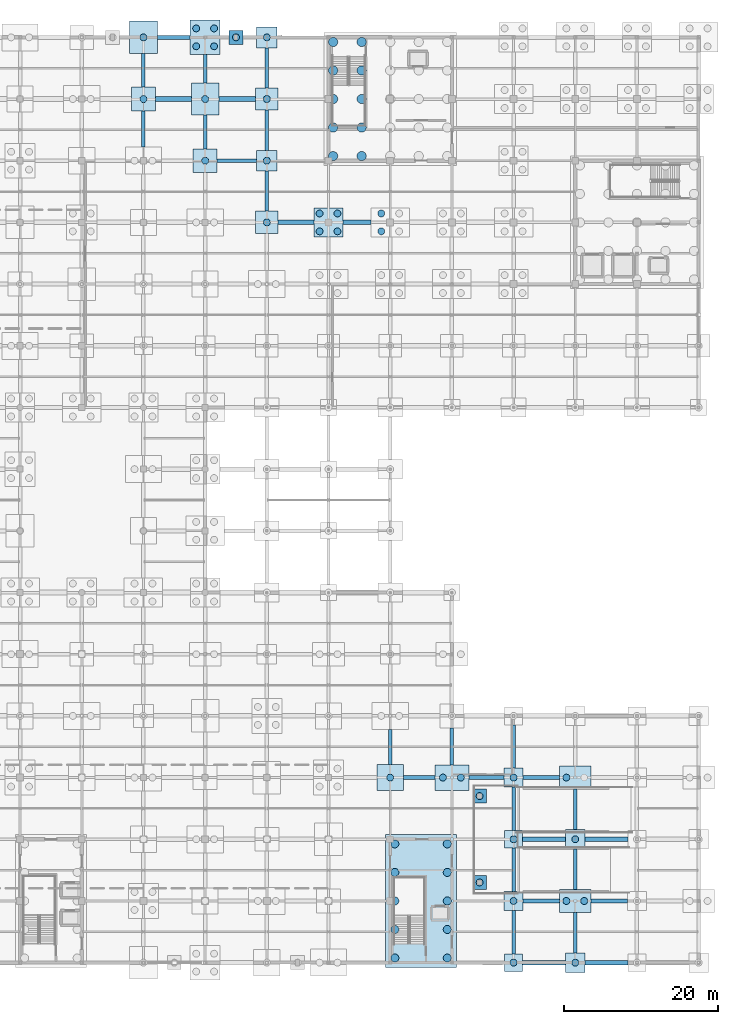
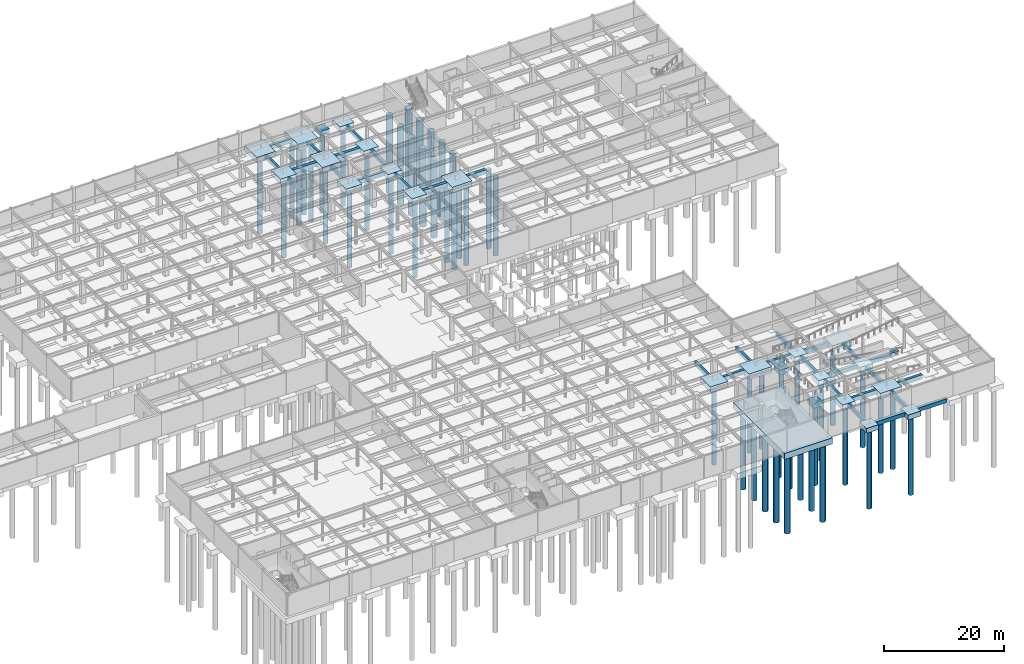
# One storey, part 9 of 105: 55 footings, 53 piles.
"""IFC4 building model written with IfcOpenShell, lengths in metres."""

from ifc_helpers import new_model, si_unit, direction, frame, origin, origin_2d, place, context, subcontext, project, spatial, rectangle, circle, extrude, material, material_profile, profile_set, type_object, element, save


model = new_model("IFC4")

# Units and contexts
model_context = context("Model", 3, precision=1e-05, world=origin(), true_north=direction((0.0, 1.0)))
body_context = subcontext(model_context, "Body", "Model", "MODEL_VIEW")
ifc_project = project(units=[si_unit("LENGTHUNIT", "METRE"), si_unit("AREAUNIT", "SQUARE_METRE"), si_unit("VOLUMEUNIT", "CUBIC_METRE"), si_unit("PLANEANGLEUNIT", "RADIAN"), si_unit("MASSUNIT", "GRAM", prefix="KILO")], contexts=[model_context])

# Site, building, storey
site_placement = place(None, origin())
site = spatial("IfcSite", under=ifc_project, at=site_placement, CompositionType="ELEMENT")
building_placement = place(site_placement, origin())
building = spatial("IfcBuilding", under=site, at=building_placement, Name="Solmirada Galleria", CompositionType="ELEMENT")
storey_placement = place(building_placement, frame((0.0, 0.0, -4.800048828125)))
storey = spatial("IfcBuildingStorey", under=building, at=storey_placement, Name="B1", CompositionType="ELEMENT", Elevation=-4.800048828125)

# Footings
ifc_material_1 = material(Name="Concrete C35/45", Category="concrete")
footing_type_1 = type_object("IfcFootingType", Name="PC-02", PredefinedType="PILE_CAP", material=ifc_material_1)
for number, where, z_axis, x_axis, name in (
    (1, (152.0, 8.0, -1.0), (0.0, 0.0, 1.0), (1.0, 0.0, 0.0), "Pile cap at (152.0, 8.0)"),
    (2, (152.0, 24.0, -1.0), (0.0, 0.0, 1.0), (1.0, 0.0, 0.0), "Pile cap at (152.0, 24.0)"),
    (3, (160.0, 0.0, -1.0), (0.0, 0.0, 1.0), (1.0, 0.0, 0.0), "Pile cap at (160.0, 0.0)"),
    (4, (160.0, 16.0, -1.0), (0.0, 0.0, 1.0), (1.0, 0.0, 0.0), "Pile cap at (160.0, 16.0)"),
):
    element("IfcFooting", number, at=place(storey_placement, frame(where, z_axis=z_axis, x_axis=x_axis)), inside=storey, type_object=footing_type_1, Name=name, PredefinedType="PILE_CAP", context=body_context, shape_type="SweptSolid", body=[
        extrude(rectangle(XDim=2.5, YDim=2.5, at=origin_2d()), origin(), (0.0, 0.0, 1.0), 1.0),
    ])
footing_type_2 = type_object("IfcFootingType", Name="PC-03", PredefinedType="PILE_CAP", material=ifc_material_1)
for number, where, z_axis, x_axis, name in (
    (5, (120.0, 96.0, -1.0498046875), (0.0, 0.0, 1.0), (1.0, 0.0, 0.0), "Pile cap at (120.0, 96.0)"),
    (6, (120.0, 112.0, -1.0498046875), (0.0, 0.0, 1.0), (1.0, 0.0, 0.0), "Pile cap at (120.0, 112.0)"),
):
    element("IfcFooting", number, at=place(storey_placement, frame(where, z_axis=z_axis, x_axis=x_axis)), inside=storey, type_object=footing_type_2, Name=name, PredefinedType="PILE_CAP", context=body_context, shape_type="SweptSolid", body=[
        extrude(rectangle(XDim=2.89990234375, YDim=2.89990234375, at=origin_2d()), origin(), (0.0, 0.0, 1.0), 1.050048828125),
    ])
footing_type_3 = type_object("IfcFootingType", Name="PC-04", PredefinedType="PILE_CAP", material=ifc_material_1)
footing_1_placement = place(storey_placement, frame((136.0, 24.0, -1.10009765625), z_axis=(0.0, 0.0, 1.0), x_axis=(1.0, 0.0, 0.0)))
element("IfcFooting", 7, at=footing_1_placement, inside=storey, type_object=footing_type_3, Name="Pile cap at (136.0, 24.0)", PredefinedType="PILE_CAP", context=body_context, shape_type="SweptSolid", body=[
    extrude(rectangle(XDim=3.39990234375, YDim=3.39990234375, at=origin_2d()), origin(), (0.0, 0.0, 1.0), 1.10009765625),
])
footing_type_4 = type_object("IfcFootingType", Name="PC-05", PredefinedType="PILE_CAP", material=ifc_material_1)
footing_2_placement = place(storey_placement, frame((128.0, 96.0, -1.14990234375), z_axis=(0.0, 0.0, 1.0), x_axis=(1.0, 0.0, 0.0)))
element("IfcFooting", 8, at=footing_2_placement, inside=storey, type_object=footing_type_4, Name="Pile cap at (128.0, 96.0)", PredefinedType="PILE_CAP", context=body_context, shape_type="SweptSolid", body=[
    extrude(rectangle(XDim=3.800048828125, YDim=3.800048828125, at=origin_2d()), origin(), (0.0, 0.0, 1.0), 1.14990234375),
])
footing_type_5 = type_object("IfcFootingType", Name="PC-06", PredefinedType="PILE_CAP", material=ifc_material_1)
for number, where, z_axis, x_axis, name in (
    (9, (160.0, 8.0, -1.14990234375), (0.0, 0.0, 1.0), (1.0, 0.0, 0.0), "Pile cap at (160.0, 8.0)"),
    (10, (160.0, 24.0, -1.14990234375), (0.0, 0.0, 1.0), (1.0, 0.0, 0.0), "Pile cap at (160.0, 24.0)"),
):
    element("IfcFooting", number, at=place(storey_placement, frame(where, z_axis=z_axis, x_axis=x_axis)), inside=storey, type_object=footing_type_5, Name=name, PredefinedType="PILE_CAP", context=body_context, shape_type="SweptSolid", body=[
        extrude(rectangle(XDim=4.10009765625, YDim=3.0, at=origin_2d()), origin(), (0.0, 0.0, 1.0), 1.14990234375),
    ])
footing_type_6 = type_object("IfcFootingType", Name="PC-07", PredefinedType="PILE_CAP", material=ifc_material_1)
footing_3_placement = place(storey_placement, frame((144.0, 24.0, -1.19970703125), z_axis=(0.0, 0.0, 1.0), x_axis=(1.0, 0.0, 0.0)))
element("IfcFooting", 11, at=footing_3_placement, inside=storey, type_object=footing_type_6, Name="Pile cap at (144.0, 24.0)", PredefinedType="PILE_CAP", context=body_context, shape_type="SweptSolid", body=[
    extrude(rectangle(XDim=4.39990234375, YDim=3.300048828125, at=origin_2d()), origin(), (0.0, 0.0, 1.0), 1.199951171875),
])
footing_type_7 = type_object("IfcFootingType", Name="PC-16", PredefinedType="PILE_CAP", material=ifc_material_1)
footing_4_placement = place(storey_placement, frame((140.0, 8.0, -1.25), z_axis=(0.0, 0.0, 1.0), x_axis=(1.0, 0.0, 0.0)))
element("IfcFooting", 12, at=footing_4_placement, inside=storey, type_object=footing_type_7, Name="Southeast Podium Core combined pile cap", PredefinedType="PILE_CAP", context=body_context, shape_type="SweptSolid", body=[
    extrude(rectangle(XDim=9.199951171875, YDim=17.199951171875, at=origin_2d()), origin(), (0.0, 0.0, 1.0), 1.25),
])
footing_type_8 = type_object("IfcFootingType", Name="PC-17", PredefinedType="PILE_CAP", material=ifc_material_1)
for number, where, z_axis, x_axis, name in (
    (13, (116.0, 120.0, -0.94970703125), (0.0, 0.0, 1.0), (1.0, 0.0, 0.0), "Pilaster pile cap (116, 120)"),
    (14, (147.60009765625, 10.39990234375, -0.94970703125), (0.0, 0.0, 1.0), (1.0, 0.0, 0.0), "Ramp pier pile cap (147.6, 10.4)"),
    (15, (147.60009765625, 21.60009765625, -0.94970703125), (0.0, 0.0, 1.0), (1.0, 0.0, 0.0), "Ramp pier pile cap (147.6, 21.6)"),
):
    element("IfcFooting", number, at=place(storey_placement, frame(where, z_axis=z_axis, x_axis=x_axis)), inside=storey, type_object=footing_type_8, Name=name, PredefinedType="PILE_CAP", context=body_context, shape_type="SweptSolid", body=[
        extrude(rectangle(XDim=1.800048828125, YDim=1.800048828125, at=origin_2d()), origin(), (0.0, 0.0, 1.0), 0.949951171875),
    ])
footing_type_9 = type_object("IfcFootingType", Name="PC-18", PredefinedType="PILE_CAP", material=ifc_material_1)
for number, where, z_axis, x_axis, name in (
    (16, (152.0, 0.0, -1.0), (0.0, 0.0, 1.0), (1.0, 0.0, 0.0), "Pile cap at (152.0, 0.0)"),
    (17, (152.0, 16.0, -1.0), (0.0, 0.0, 1.0), (1.0, 0.0, 0.0), "Pile cap at (152.0, 16.0)"),
):
    element("IfcFooting", number, at=place(storey_placement, frame(where, z_axis=z_axis, x_axis=x_axis)), inside=storey, type_object=footing_type_9, Name=name, PredefinedType="PILE_CAP", context=body_context, shape_type="SweptSolid", body=[
        extrude(rectangle(XDim=2.300048828125, YDim=2.300048828125, at=origin_2d()), origin(), (0.0, 0.0, 1.0), 1.0),
    ])
footing_type_10 = type_object("IfcFootingType", Name="PC-19", PredefinedType="PILE_CAP", material=ifc_material_1)
for number, where, z_axis, x_axis, name in (
    (18, (120.0, 104.0, -1.0498046875), (0.0, 0.0, 1.0), (1.0, 0.0, 0.0), "Pile cap at (120.0, 104.0)"),
    (19, (120.0, 120.0, -1.0498046875), (0.0, 0.0, 1.0), (1.0, 0.0, 0.0), "Pile cap at (120.0, 120.0)"),
):
    element("IfcFooting", number, at=place(storey_placement, frame(where, z_axis=z_axis, x_axis=x_axis)), inside=storey, type_object=footing_type_10, Name=name, PredefinedType="PILE_CAP", context=body_context, shape_type="SweptSolid", body=[
        extrude(rectangle(XDim=2.699951171875, YDim=2.699951171875, at=origin_2d()), origin(), (0.0, 0.0, 1.0), 1.050048828125),
    ])
footing_type_11 = type_object("IfcFootingType", Name="PC-20", PredefinedType="PILE_CAP", material=ifc_material_1)
for number, where, z_axis, x_axis, name in (
    (20, (104.0, 112.0, -1.0498046875), (0.0, 0.0, 1.0), (1.0, 0.0, 0.0), "Pile cap at (104.0, 112.0)"),
    (21, (112.0, 104.0, -1.0498046875), (0.0, 0.0, 1.0), (1.0, 0.0, 0.0), "Pile cap at (112.0, 104.0)"),
):
    element("IfcFooting", number, at=place(storey_placement, frame(where, z_axis=z_axis, x_axis=x_axis)), inside=storey, type_object=footing_type_11, Name=name, PredefinedType="PILE_CAP", context=body_context, shape_type="SweptSolid", body=[
        extrude(rectangle(XDim=3.10009765625, YDim=3.10009765625, at=origin_2d()), origin(), (0.0, 0.0, 1.0), 1.050048828125),
    ])
footing_type_12 = type_object("IfcFootingType", Name="PC-25", PredefinedType="PILE_CAP", material=ifc_material_1)
for number, where, z_axis, x_axis, name in (
    (22, (104.0, 120.0, -1.14990234375), (0.0, 0.0, 1.0), (1.0, 0.0, 0.0), "Pile cap at (104.0, 120.0)"),
    (23, (112.0, 112.0, -1.14990234375), (0.0, 0.0, 1.0), (1.0, 0.0, 0.0), "Pile cap at (112.0, 112.0)"),
):
    element("IfcFooting", number, at=place(storey_placement, frame(where, z_axis=z_axis, x_axis=x_axis)), inside=storey, type_object=footing_type_12, Name=name, PredefinedType="PILE_CAP", context=body_context, shape_type="SweptSolid", body=[
        extrude(rectangle(XDim=3.60009765625, YDim=4.199951171875, at=origin_2d()), origin(), (0.0, 0.0, 1.0), 1.14990234375),
    ])
footing_type_13 = type_object("IfcFootingType", Name="PC-26", PredefinedType="PILE_CAP", material=ifc_material_1)
footing_5_placement = place(storey_placement, frame((112.0, 120.0, -1.19970703125), z_axis=(0.0, 0.0, 1.0), x_axis=(1.0, 0.0, 0.0)))
element("IfcFooting", 24, at=footing_5_placement, inside=storey, type_object=footing_type_13, Name="Pile cap at (112.0, 120.0)", PredefinedType="PILE_CAP", context=body_context, shape_type="SweptSolid", body=[
    extrude(rectangle(XDim=3.89990234375, YDim=4.5, at=origin_2d()), origin(), (0.0, 0.0, 1.0), 1.199951171875),
])

# Piles
ifc_material_2 = material(Name="Concrete C40/50", Category="concrete")
ifc_material_profile_1 = material_profile(ifc_material_2, circle(Radius=0.52490234375, at=origin_2d()), Name="PILE1050")
ifc_profile_set_1 = profile_set([ifc_material_profile_1], Name="Concrete C40/50")
pile_type_1 = type_object("IfcPileType", Name="PILE-1050", PredefinedType="BORED", material=ifc_profile_set_1)
for number, where, z_axis, x_axis, name in (
    (25, (136.60009765625, 0.60009765625, -1.14990234375), (0.0, 0.0, -1.0), (1.0, 0.0, 0.0), "Tampa limestone bored pile C6-01"),
    (26, (136.60009765625, 4.300048828125, -1.14990234375), (0.0, 0.0, -1.0), (1.0, 0.0, 0.0), "Tampa limestone bored pile C6-02"),
    (27, (136.60009765625, 8.0, -1.14990234375), (0.0, 0.0, -1.0), (1.0, 0.0, 0.0), "Tampa limestone bored pile C6-03"),
    (28, (136.60009765625, 11.699951171875, -1.14990234375), (0.0, 0.0, -1.0), (1.0, 0.0, 0.0), "Tampa limestone bored pile C6-04"),
    (29, (136.60009765625, 15.39990234375, -1.14990234375), (0.0, 0.0, -1.0), (1.0, 0.0, 0.0), "Tampa limestone bored pile C6-05"),
    (30, (143.39990234375, 0.60009765625, -1.14990234375), (0.0, 0.0, -1.0), (1.0, 0.0, 0.0), "Tampa limestone bored pile C6-06"),
    (31, (143.39990234375, 4.300048828125, -1.14990234375), (0.0, 0.0, -1.0), (1.0, 0.0, 0.0), "Tampa limestone bored pile C6-07"),
    (32, (143.39990234375, 8.0, -1.14990234375), (0.0, 0.0, -1.0), (1.0, 0.0, 0.0), "Tampa limestone bored pile C6-08"),
    (33, (143.39990234375, 11.699951171875, -1.14990234375), (0.0, 0.0, -1.0), (1.0, 0.0, 0.0), "Tampa limestone bored pile C6-09"),
    (34, (143.39990234375, 15.39990234375, -1.14990234375), (0.0, 0.0, -1.0), (1.0, 0.0, 0.0), "Tampa limestone bored pile C6-10"),
):
    element("IfcPile", number, at=place(storey_placement, frame(where, z_axis=z_axis, x_axis=x_axis)), inside=storey, type_object=pile_type_1, Name=name, PredefinedType="BORED", context=body_context, shape_type="SweptSolid", body=[
        extrude(circle(Radius=0.52490234375, at=origin_2d()), origin(), (0.0, 0.0, 1.0), 16.050048828125),
    ])
ifc_material_profile_2 = material_profile(ifc_material_2, circle(Radius=0.60009765625, at=origin_2d()), Name="PILE1200")
ifc_profile_set_2 = profile_set([ifc_material_profile_2], Name="Concrete C40/50")
pile_type_2 = type_object("IfcPileType", Name="PILE-1200", PredefinedType="BORED", material=ifc_profile_set_2)
for number, where, z_axis, x_axis, name in (
    (35, (128.60009765625, 104.60009765625, -1.300048828125), (0.0, 0.0, -1.0), (1.0, 0.0, 0.0), "Tampa limestone bored pile C3-01"),
    (36, (128.60009765625, 108.300048828125, -1.300048828125), (0.0, 0.0, -1.0), (1.0, 0.0, 0.0), "Tampa limestone bored pile C3-02"),
    (37, (128.60009765625, 112.0, -1.300048828125), (0.0, 0.0, -1.0), (1.0, 0.0, 0.0), "Tampa limestone bored pile C3-03"),
    (38, (128.60009765625, 115.699951171875, -1.300048828125), (0.0, 0.0, -1.0), (1.0, 0.0, 0.0), "Tampa limestone bored pile C3-04"),
    (39, (128.60009765625, 119.39990234375, -1.300048828125), (0.0, 0.0, -1.0), (1.0, 0.0, 0.0), "Tampa limestone bored pile C3-05"),
    (40, (132.300048828125, 104.60009765625, -1.300048828125), (0.0, 0.0, -1.0), (1.0, 0.0, 0.0), "Tampa limestone bored pile C3-06"),
    (41, (132.300048828125, 108.300048828125, -1.300048828125), (0.0, 0.0, -1.0), (1.0, 0.0, 0.0), "Tampa limestone bored pile C3-07"),
    (42, (132.300048828125, 112.0, -1.300048828125), (0.0, 0.0, -1.0), (1.0, 0.0, 0.0), "Tampa limestone bored pile C3-08"),
    (43, (132.300048828125, 115.699951171875, -1.300048828125), (0.0, 0.0, -1.0), (1.0, 0.0, 0.0), "Tampa limestone bored pile C3-09"),
    (44, (132.300048828125, 119.39990234375, -1.300048828125), (0.0, 0.0, -1.0), (1.0, 0.0, 0.0), "Tampa limestone bored pile C3-10"),
):
    element("IfcPile", number, at=place(storey_placement, frame(where, z_axis=z_axis, x_axis=x_axis)), inside=storey, type_object=pile_type_2, Name=name, PredefinedType="BORED", context=body_context, shape_type="SweptSolid", body=[
        extrude(circle(Radius=0.60009765625, at=origin_2d()), origin(), (0.0, 0.0, 1.0), 15.89990234375),
    ])
ifc_material_profile_3 = material_profile(ifc_material_2, circle(Radius=0.449951171875, at=origin_2d()), Name="PILE900")
ifc_profile_set_3 = profile_set([ifc_material_profile_3], Name="Concrete C40/50")
pile_type_3 = type_object("IfcPileType", Name="PILE-900", PredefinedType="BORED", material=ifc_profile_set_3)
for number, where, z_axis, x_axis, name in (
    (45, (116.0, 120.0, -0.849853515625), (0.0, 0.0, -1.0), (1.0, 0.0, 0.0), "Pilaster bored pile (116, 120)"),
    (46, (147.60009765625, 10.39990234375, -0.849853515625), (0.0, 0.0, -1.0), (1.0, 0.0, 0.0), "Ramp pier bored pile (147.6, 10.4)"),
    (47, (147.60009765625, 21.60009765625, -0.849853515625), (0.0, 0.0, -1.0), (1.0, 0.0, 0.0), "Ramp pier bored pile (147.6, 21.6)"),
):
    element("IfcPile", number, at=place(storey_placement, frame(where, z_axis=z_axis, x_axis=x_axis)), inside=storey, type_object=pile_type_3, Name=name, PredefinedType="BORED", context=body_context, shape_type="SweptSolid", body=[
        extrude(circle(Radius=0.449951171875, at=origin_2d()), origin(), (0.0, 0.0, 1.0), 16.35009765625),
    ])
pile_1_placement = place(storey_placement, frame((104.0, 112.0, -0.949951171875), z_axis=(0.0, 0.0, -1.0), x_axis=(1.0, 0.0, 0.0)))
element("IfcPile", 48, at=pile_1_placement, inside=storey, type_object=pile_type_3, Name="Bored pile at (104.00, 112.00)", PredefinedType="BORED", context=body_context, shape_type="SweptSolid", body=[
    extrude(circle(Radius=0.449951171875, at=origin_2d()), origin(), (0.0, 0.0, 1.0), 16.25),
])
pile_2_placement = place(storey_placement, frame((104.0, 120.0, -1.050048828125), z_axis=(0.0, 0.0, -1.0), x_axis=(1.0, 0.0, 0.0)))
element("IfcPile", 49, at=pile_2_placement, inside=storey, type_object=pile_type_3, Name="Bored pile at (104.00, 120.00)", PredefinedType="BORED", context=body_context, shape_type="SweptSolid", body=[
    extrude(circle(Radius=0.449951171875, at=origin_2d()), origin(), (0.0, 0.0, 1.0), 16.14990234375),
])
pile_3_placement = place(storey_placement, frame((112.0, 104.0, -0.949951171875), z_axis=(0.0, 0.0, -1.0), x_axis=(1.0, 0.0, 0.0)))
element("IfcPile", 50, at=pile_3_placement, inside=storey, type_object=pile_type_3, Name="Bored pile at (112.00, 104.00)", PredefinedType="BORED", context=body_context, shape_type="SweptSolid", body=[
    extrude(circle(Radius=0.449951171875, at=origin_2d()), origin(), (0.0, 0.0, 1.0), 16.25),
])
pile_4_placement = place(storey_placement, frame((112.0, 112.0, -1.050048828125), z_axis=(0.0, 0.0, -1.0), x_axis=(1.0, 0.0, 0.0)))
element("IfcPile", 51, at=pile_4_placement, inside=storey, type_object=pile_type_3, Name="Bored pile at (112.00, 112.00)", PredefinedType="BORED", context=body_context, shape_type="SweptSolid", body=[
    extrude(circle(Radius=0.449951171875, at=origin_2d()), origin(), (0.0, 0.0, 1.0), 16.14990234375),
])
for number, where, z_axis, x_axis, name in (
    (52, (110.840087890625, 118.840087890625, -1.099853515625), (0.0, 0.0, -1.0), (1.0, 0.0, 0.0), "Bored pile at (110.84, 118.84)"),
    (53, (113.159912109375, 118.840087890625, -1.099853515625), (0.0, 0.0, -1.0), (1.0, 0.0, 0.0), "Bored pile at (113.16, 118.84)"),
    (54, (110.840087890625, 121.159912109375, -1.099853515625), (0.0, 0.0, -1.0), (1.0, 0.0, 0.0), "Bored pile at (110.84, 121.16)"),
    (55, (113.159912109375, 121.159912109375, -1.099853515625), (0.0, 0.0, -1.0), (1.0, 0.0, 0.0), "Bored pile at (113.16, 121.16)"),
):
    element("IfcPile", number, at=place(storey_placement, frame(where, z_axis=z_axis, x_axis=x_axis)), inside=storey, type_object=pile_type_3, Name=name, PredefinedType="BORED", context=body_context, shape_type="SweptSolid", body=[
        extrude(circle(Radius=0.449951171875, at=origin_2d()), origin(), (0.0, 0.0, 1.0), 16.10009765625),
    ])
for number, where, z_axis, x_axis, name in (
    (56, (120.0, 96.0, -0.949951171875), (0.0, 0.0, -1.0), (1.0, 0.0, 0.0), "Bored pile at (120.00, 96.00)"),
    (57, (120.0, 104.0, -0.949951171875), (0.0, 0.0, -1.0), (1.0, 0.0, 0.0), "Bored pile at (120.00, 104.00)"),
    (58, (120.0, 112.0, -0.949951171875), (0.0, 0.0, -1.0), (1.0, 0.0, 0.0), "Bored pile at (120.00, 112.00)"),
    (59, (120.0, 120.0, -0.949951171875), (0.0, 0.0, -1.0), (1.0, 0.0, 0.0), "Bored pile at (120.00, 120.00)"),
):
    element("IfcPile", number, at=place(storey_placement, frame(where, z_axis=z_axis, x_axis=x_axis)), inside=storey, type_object=pile_type_3, Name=name, PredefinedType="BORED", context=body_context, shape_type="SweptSolid", body=[
        extrude(circle(Radius=0.449951171875, at=origin_2d()), origin(), (0.0, 0.0, 1.0), 16.25),
    ])
for number, where, z_axis, x_axis, name in (
    (60, (126.840087890625, 94.840087890625, -1.050048828125), (0.0, 0.0, -1.0), (1.0, 0.0, 0.0), "Bored pile at (126.84, 94.84)"),
    (61, (129.159912109375, 94.840087890625, -1.050048828125), (0.0, 0.0, -1.0), (1.0, 0.0, 0.0), "Bored pile at (129.16, 94.84)"),
    (62, (126.840087890625, 97.159912109375, -1.050048828125), (0.0, 0.0, -1.0), (1.0, 0.0, 0.0), "Bored pile at (126.84, 97.16)"),
    (63, (129.159912109375, 97.159912109375, -1.050048828125), (0.0, 0.0, -1.0), (1.0, 0.0, 0.0), "Bored pile at (129.16, 97.16)"),
):
    element("IfcPile", number, at=place(storey_placement, frame(where, z_axis=z_axis, x_axis=x_axis)), inside=storey, type_object=pile_type_3, Name=name, PredefinedType="BORED", context=body_context, shape_type="SweptSolid", body=[
        extrude(circle(Radius=0.449951171875, at=origin_2d()), origin(), (0.0, 0.0, 1.0), 16.14990234375),
    ])
pile_5_placement = place(storey_placement, frame((136.0, 24.0, -1.0), z_axis=(0.0, 0.0, -1.0), x_axis=(1.0, 0.0, 0.0)))
element("IfcPile", 64, at=pile_5_placement, inside=storey, type_object=pile_type_3, Name="Bored pile at (136.00, 24.00)", PredefinedType="BORED", context=body_context, shape_type="SweptSolid", body=[
    extrude(circle(Radius=0.449951171875, at=origin_2d()), origin(), (0.0, 0.0, 1.0), 16.199951171875),
])
for number, where, z_axis, x_axis, name in (
    (65, (134.840087890625, 94.840087890625, -1.14990234375), (0.0, 0.0, -1.0), (1.0, 0.0, 0.0), "Bored pile at (134.84, 94.84)"),
    (66, (134.840087890625, 97.159912109375, -1.14990234375), (0.0, 0.0, -1.0), (1.0, 0.0, 0.0), "Bored pile at (134.84, 97.16)"),
):
    element("IfcPile", number, at=place(storey_placement, frame(where, z_axis=z_axis, x_axis=x_axis)), inside=storey, type_object=pile_type_3, Name=name, PredefinedType="BORED", context=body_context, shape_type="SweptSolid", body=[
        extrude(circle(Radius=0.449951171875, at=origin_2d()), origin(), (0.0, 0.0, 1.0), 16.050048828125),
    ])
for number, where, z_axis, x_axis, name in (
    (67, (142.840087890625, 24.0, -1.099853515625), (0.0, 0.0, -1.0), (1.0, 0.0, 0.0), "Bored pile at (142.84, 24.00)"),
    (68, (145.159912109375, 24.0, -1.099853515625), (0.0, 0.0, -1.0), (1.0, 0.0, 0.0), "Bored pile at (145.16, 24.00)"),
):
    element("IfcPile", number, at=place(storey_placement, frame(where, z_axis=z_axis, x_axis=x_axis)), inside=storey, type_object=pile_type_3, Name=name, PredefinedType="BORED", context=body_context, shape_type="SweptSolid", body=[
        extrude(circle(Radius=0.449951171875, at=origin_2d()), origin(), (0.0, 0.0, 1.0), 16.10009765625),
    ])
for number, where, z_axis, x_axis, name in (
    (69, (152.0, 0.0, -0.89990234375), (0.0, 0.0, -1.0), (1.0, 0.0, 0.0), "Bored pile at (152.00, 0.00)"),
    (70, (152.0, 8.0, -0.89990234375), (0.0, 0.0, -1.0), (1.0, 0.0, 0.0), "Bored pile at (152.00, 8.00)"),
    (71, (152.0, 16.0, -0.89990234375), (0.0, 0.0, -1.0), (1.0, 0.0, 0.0), "Bored pile at (152.00, 16.00)"),
    (72, (152.0, 24.0, -0.89990234375), (0.0, 0.0, -1.0), (1.0, 0.0, 0.0), "Bored pile at (152.00, 24.00)"),
    (73, (160.0, 0.0, -0.89990234375), (0.0, 0.0, -1.0), (1.0, 0.0, 0.0), "Bored pile at (160.00, 0.00)"),
):
    element("IfcPile", number, at=place(storey_placement, frame(where, z_axis=z_axis, x_axis=x_axis)), inside=storey, type_object=pile_type_3, Name=name, PredefinedType="BORED", context=body_context, shape_type="SweptSolid", body=[
        extrude(circle(Radius=0.449951171875, at=origin_2d()), origin(), (0.0, 0.0, 1.0), 16.300048828125),
    ])
for number, where, z_axis, x_axis, name in (
    (74, (158.840087890625, 8.0, -1.050048828125), (0.0, 0.0, -1.0), (1.0, 0.0, 0.0), "Bored pile at (158.84, 8.00)"),
    (75, (161.159912109375, 8.0, -1.050048828125), (0.0, 0.0, -1.0), (1.0, 0.0, 0.0), "Bored pile at (161.16, 8.00)"),
):
    element("IfcPile", number, at=place(storey_placement, frame(where, z_axis=z_axis, x_axis=x_axis)), inside=storey, type_object=pile_type_3, Name=name, PredefinedType="BORED", context=body_context, shape_type="SweptSolid", body=[
        extrude(circle(Radius=0.449951171875, at=origin_2d()), origin(), (0.0, 0.0, 1.0), 16.14990234375),
    ])
pile_6_placement = place(storey_placement, frame((160.0, 16.0, -0.89990234375), z_axis=(0.0, 0.0, -1.0), x_axis=(1.0, 0.0, 0.0)))
element("IfcPile", 76, at=pile_6_placement, inside=storey, type_object=pile_type_3, Name="Bored pile at (160.00, 16.00)", PredefinedType="BORED", context=body_context, shape_type="SweptSolid", body=[
    extrude(circle(Radius=0.449951171875, at=origin_2d()), origin(), (0.0, 0.0, 1.0), 16.300048828125),
])
pile_7_placement = place(storey_placement, frame((158.840087890625, 24.0, -1.050048828125), z_axis=(0.0, 0.0, -1.0), x_axis=(1.0, 0.0, 0.0)))
element("IfcPile", 77, at=pile_7_placement, inside=storey, type_object=pile_type_3, Name="Bored pile at (158.84, 24.00)", PredefinedType="BORED", context=body_context, shape_type="SweptSolid", body=[
    extrude(circle(Radius=0.449951171875, at=origin_2d()), origin(), (0.0, 0.0, 1.0), 16.14990234375),
])

# Footings
ifc_material_profile_4 = material_profile(ifc_material_1, rectangle(XDim=0.449951171875, YDim=0.75, at=origin_2d()), Name="RC750X450")
ifc_profile_set_4 = profile_set([ifc_material_profile_4], Name="Concrete C35/45")
footing_type_14 = type_object("IfcFootingType", Name="TB-750X450", PredefinedType="FOOTING_BEAM", material=ifc_profile_set_4)
footing_6_placement = place(storey_placement, frame((104.0, 105.75, -0.375), z_axis=(0.0, 1.0, 0.0), x_axis=(-1.0, 0.0, 0.0)))
element("IfcFooting", 78, at=footing_6_placement, inside=storey, type_object=footing_type_14, Name="Foundation tie beam Y (104, 104..112)", PredefinedType="FOOTING_BEAM", context=body_context, shape_type="SweptSolid", body=[
    extrude(rectangle(XDim=0.449951171875, YDim=0.75, at=origin_2d()), origin(), (0.0, 0.0, 1.0), 4.699951171875),
])
for number, where, z_axis, x_axis, name in (
    (79, (104.0, 113.550048828125, -0.375), (0.0, 1.0, 0.0), (-1.0, 0.0, 0.0), "Foundation tie beam Y (104, 112..120)"),
    (80, (112.0, 105.550048828125, -0.375), (0.0, 1.0, 0.0), (-1.0, 0.0, 0.0), "Foundation tie beam Y (112, 104..112)"),
):
    element("IfcFooting", number, at=place(storey_placement, frame(where, z_axis=z_axis, x_axis=x_axis)), inside=storey, type_object=footing_type_14, Name=name, PredefinedType="FOOTING_BEAM", context=body_context, shape_type="SweptSolid", body=[
        extrude(rectangle(XDim=0.449951171875, YDim=0.75, at=origin_2d()), origin(), (0.0, 0.0, 1.0), 4.349853515625),
    ])
footing_7_placement = place(storey_placement, frame((112.0, 114.10009765625, -0.375), z_axis=(0.0, 1.0, 0.0), x_axis=(-1.0, 0.0, 0.0)))
element("IfcFooting", 81, at=footing_7_placement, inside=storey, type_object=footing_type_14, Name="Foundation tie beam Y (112, 112..120)", PredefinedType="FOOTING_BEAM", context=body_context, shape_type="SweptSolid", body=[
    extrude(rectangle(XDim=0.449951171875, YDim=0.75, at=origin_2d()), origin(), (0.0, 0.0, 1.0), 3.64990234375),
])
for number, where, z_axis, x_axis, name in (
    (82, (120.0, 97.449951171875, -0.375), (0.0, 1.0, 0.0), (-1.0, 0.0, 0.0), "Foundation tie beam Y (120, 96..104)"),
    (83, (120.0, 105.35009765625, -0.375), (0.0, 1.0, 0.0), (-1.0, 0.0, 0.0), "Foundation tie beam Y (120, 104..112)"),
    (84, (120.0, 113.449951171875, -0.375), (0.0, 1.0, 0.0), (-1.0, 0.0, 0.0), "Foundation tie beam Y (120, 112..120)"),
):
    element("IfcFooting", number, at=place(storey_placement, frame(where, z_axis=z_axis, x_axis=x_axis)), inside=storey, type_object=footing_type_14, Name=name, PredefinedType="FOOTING_BEAM", context=body_context, shape_type="SweptSolid", body=[
        extrude(rectangle(XDim=0.449951171875, YDim=0.75, at=origin_2d()), origin(), (0.0, 0.0, 1.0), 5.199951171875),
    ])
footing_8_placement = place(storey_placement, frame((136.0, 25.699951171875, -0.375), z_axis=(0.0, 1.0, 0.0), x_axis=(-1.0, 0.0, 0.0)))
element("IfcFooting", 85, at=footing_8_placement, inside=storey, type_object=footing_type_14, Name="Foundation tie beam Y (136, 24..32)", PredefinedType="FOOTING_BEAM", context=body_context, shape_type="SweptSolid", body=[
    extrude(rectangle(XDim=0.449951171875, YDim=0.75, at=origin_2d()), origin(), (0.0, 0.0, 1.0), 4.550048828125),
])
footing_9_placement = place(storey_placement, frame((144.0, 25.64990234375, -0.375), z_axis=(0.0, 1.0, 0.0), x_axis=(-1.0, 0.0, 0.0)))
element("IfcFooting", 86, at=footing_9_placement, inside=storey, type_object=footing_type_14, Name="Foundation tie beam Y (144, 24..32)", PredefinedType="FOOTING_BEAM", context=body_context, shape_type="SweptSolid", body=[
    extrude(rectangle(XDim=0.449951171875, YDim=0.75, at=origin_2d()), origin(), (0.0, 0.0, 1.0), 4.800048828125),
])
for number, where, z_axis, x_axis, name in (
    (87, (152.0, 1.14990234375, -0.375), (0.0, 1.0, 0.0), (-1.0, 0.0, 0.0), "Foundation tie beam Y (152, 0..8)"),
    (88, (152.0, 9.25, -0.375), (0.0, 1.0, 0.0), (-1.0, 0.0, 0.0), "Foundation tie beam Y (152, 8..16)"),
    (89, (152.0, 17.14990234375, -0.375), (0.0, 1.0, 0.0), (-1.0, 0.0, 0.0), "Foundation tie beam Y (152, 16..24)"),
    (90, (152.0, 25.25, -0.375), (0.0, 1.0, 0.0), (-1.0, 0.0, 0.0), "Foundation tie beam Y (152, 24..32)"),
):
    element("IfcFooting", number, at=place(storey_placement, frame(where, z_axis=z_axis, x_axis=x_axis)), inside=storey, type_object=footing_type_14, Name=name, PredefinedType="FOOTING_BEAM", context=body_context, shape_type="SweptSolid", body=[
        extrude(rectangle(XDim=0.449951171875, YDim=0.75, at=origin_2d()), origin(), (0.0, 0.0, 1.0), 5.60009765625),
    ])
for number, where, z_axis, x_axis, name in (
    (91, (160.0, 1.25, -0.375), (0.0, 1.0, 0.0), (-1.0, 0.0, 0.0), "Foundation tie beam Y (160, 0..8)"),
    (92, (160.0, 9.5, -0.375), (0.0, 1.0, 0.0), (-1.0, 0.0, 0.0), "Foundation tie beam Y (160, 8..16)"),
    (93, (160.0, 17.25, -0.375), (0.0, 1.0, 0.0), (-1.0, 0.0, 0.0), "Foundation tie beam Y (160, 16..24)"),
):
    element("IfcFooting", number, at=place(storey_placement, frame(where, z_axis=z_axis, x_axis=x_axis)), inside=storey, type_object=footing_type_14, Name=name, PredefinedType="FOOTING_BEAM", context=body_context, shape_type="SweptSolid", body=[
        extrude(rectangle(XDim=0.449951171875, YDim=0.75, at=origin_2d()), origin(), (0.0, 0.0, 1.0), 5.25),
    ])
ifc_material_profile_5 = material_profile(ifc_material_1, rectangle(XDim=0.60009765625, YDim=0.800048828125, at=origin_2d()), Name="RC800X600")
ifc_profile_set_5 = profile_set([ifc_material_profile_5], Name="Concrete C35/45")
footing_type_15 = type_object("IfcFootingType", Name="TB-800X600", PredefinedType="FOOTING_BEAM", material=ifc_profile_set_5)
footing_10_placement = place(storey_placement, frame((105.550048828125, 112.0, -0.39990234375), z_axis=(1.0, 0.0, 0.0), x_axis=(0.0, 1.0, 0.0)))
element("IfcFooting", 94, at=footing_10_placement, inside=storey, type_object=footing_type_15, Name="Foundation tie beam X (104..112, 112)", PredefinedType="FOOTING_BEAM", context=body_context, shape_type="SweptSolid", body=[
    extrude(rectangle(XDim=0.60009765625, YDim=0.800048828125, at=origin_2d()), origin(), (0.0, 0.0, 1.0), 4.64990234375),
])
footing_11_placement = place(storey_placement, frame((113.800048828125, 112.0, -0.39990234375), z_axis=(1.0, 0.0, 0.0), x_axis=(0.0, 1.0, 0.0)))
element("IfcFooting", 95, at=footing_11_placement, inside=storey, type_object=footing_type_15, Name="Foundation tie beam X (112..120, 112)", PredefinedType="FOOTING_BEAM", context=body_context, shape_type="SweptSolid", body=[
    extrude(rectangle(XDim=0.60009765625, YDim=0.800048828125, at=origin_2d()), origin(), (0.0, 0.0, 1.0), 4.75),
])
footing_12_placement = place(storey_placement, frame((121.449951171875, 96.0, -0.39990234375), z_axis=(1.0, 0.0, 0.0), x_axis=(0.0, 1.0, 0.0)))
element("IfcFooting", 96, at=footing_12_placement, inside=storey, type_object=footing_type_15, Name="Foundation tie beam X (120..128, 96)", PredefinedType="FOOTING_BEAM", context=body_context, shape_type="SweptSolid", body=[
    extrude(rectangle(XDim=0.60009765625, YDim=0.800048828125, at=origin_2d()), origin(), (0.0, 0.0, 1.0), 4.650146484375),
])
footing_13_placement = place(storey_placement, frame((129.89990234375, 96.0, -0.39990234375), z_axis=(1.0, 0.0, 0.0), x_axis=(0.0, 1.0, 0.0)))
element("IfcFooting", 97, at=footing_13_placement, inside=storey, type_object=footing_type_15, Name="Foundation tie beam X (128..136, 96)", PredefinedType="FOOTING_BEAM", context=body_context, shape_type="SweptSolid", body=[
    extrude(rectangle(XDim=0.60009765625, YDim=0.800048828125, at=origin_2d()), origin(), (0.0, 0.0, 1.0), 3.60009765625),
])
for number, where, z_axis, x_axis, name in (
    (98, (153.14990234375, 0.0, -0.39990234375), (1.0, 0.0, 0.0), (0.0, 1.0, 0.0), "Foundation tie beam X (152..160, 0)"),
    (99, (153.14990234375, 16.0, -0.39990234375), (1.0, 0.0, 0.0), (0.0, 1.0, 0.0), "Foundation tie beam X (152..160, 16)"),
    (100, (161.25, 0.0, -0.39990234375), (1.0, 0.0, 0.0), (0.0, 1.0, 0.0), "Foundation tie beam X (160..168, 0)"),
    (101, (161.25, 16.0, -0.39990234375), (1.0, 0.0, 0.0), (0.0, 1.0, 0.0), "Foundation tie beam X (160..168, 16)"),
):
    element("IfcFooting", number, at=place(storey_placement, frame(where, z_axis=z_axis, x_axis=x_axis)), inside=storey, type_object=footing_type_15, Name=name, PredefinedType="FOOTING_BEAM", context=body_context, shape_type="SweptSolid", body=[
        extrude(rectangle(XDim=0.60009765625, YDim=0.800048828125, at=origin_2d()), origin(), (0.0, 0.0, 1.0), 5.60009765625),
    ])
ifc_material_profile_6 = material_profile(ifc_material_1, rectangle(XDim=0.5, YDim=0.85009765625, at=origin_2d()), Name="RC850X500")
ifc_profile_set_6 = profile_set([ifc_material_profile_6], Name="Concrete C35/45")
footing_type_16 = type_object("IfcFootingType", Name="TB-850X500", PredefinedType="FOOTING_BEAM", material=ifc_profile_set_6)
footing_14_placement = place(storey_placement, frame((105.800048828125, 120.0, -0.425048828125), z_axis=(1.0, 0.0, 0.0), x_axis=(0.0, 1.0, 0.0)))
element("IfcFooting", 102, at=footing_14_placement, inside=storey, type_object=footing_type_16, Name="Foundation tie beam X (104..112, 120)", PredefinedType="FOOTING_BEAM", context=body_context, shape_type="SweptSolid", body=[
    extrude(rectangle(XDim=0.5, YDim=0.85009765625, at=origin_2d()), origin(), (0.0, 0.0, 1.0), 4.25),
])
footing_15_placement = place(storey_placement, frame((113.550048828125, 104.0, -0.425048828125), z_axis=(1.0, 0.0, 0.0), x_axis=(0.0, 1.0, 0.0)))
element("IfcFooting", 103, at=footing_15_placement, inside=storey, type_object=footing_type_16, Name="Foundation tie beam X (112..120, 104)", PredefinedType="FOOTING_BEAM", context=body_context, shape_type="SweptSolid", body=[
    extrude(rectangle(XDim=0.5, YDim=0.85009765625, at=origin_2d()), origin(), (0.0, 0.0, 1.0), 5.099853515625),
])
footing_16_placement = place(storey_placement, frame((137.699951171875, 24.0, -0.425048828125), z_axis=(1.0, 0.0, 0.0), x_axis=(0.0, 1.0, 0.0)))
element("IfcFooting", 104, at=footing_16_placement, inside=storey, type_object=footing_type_16, Name="Foundation tie beam X (136..144, 24)", PredefinedType="FOOTING_BEAM", context=body_context, shape_type="SweptSolid", body=[
    extrude(rectangle(XDim=0.5, YDim=0.85009765625, at=origin_2d()), origin(), (0.0, 0.0, 1.0), 4.10009765625),
])
footing_17_placement = place(storey_placement, frame((146.199951171875, 24.0, -0.425048828125), z_axis=(1.0, 0.0, 0.0), x_axis=(0.0, 1.0, 0.0)))
element("IfcFooting", 105, at=footing_17_placement, inside=storey, type_object=footing_type_16, Name="Foundation tie beam X (144..152, 24)", PredefinedType="FOOTING_BEAM", context=body_context, shape_type="SweptSolid", body=[
    extrude(rectangle(XDim=0.5, YDim=0.85009765625, at=origin_2d()), origin(), (0.0, 0.0, 1.0), 4.550048828125),
])
for number, where, z_axis, x_axis, name in (
    (106, (153.25, 8.0, -0.425048828125), (1.0, 0.0, 0.0), (0.0, 1.0, 0.0), "Foundation tie beam X (152..160, 8)"),
    (107, (153.25, 24.0, -0.425048828125), (1.0, 0.0, 0.0), (0.0, 1.0, 0.0), "Foundation tie beam X (152..160, 24)"),
    (108, (162.050048828125, 8.0, -0.425048828125), (1.0, 0.0, 0.0), (0.0, 1.0, 0.0), "Foundation tie beam X (160..168, 8)"),
):
    element("IfcFooting", number, at=place(storey_placement, frame(where, z_axis=z_axis, x_axis=x_axis)), inside=storey, type_object=footing_type_16, Name=name, PredefinedType="FOOTING_BEAM", context=body_context, shape_type="SweptSolid", body=[
        extrude(rectangle(XDim=0.5, YDim=0.85009765625, at=origin_2d()), origin(), (0.0, 0.0, 1.0), 4.699951171875),
    ])

save(model, "model.ifc")
